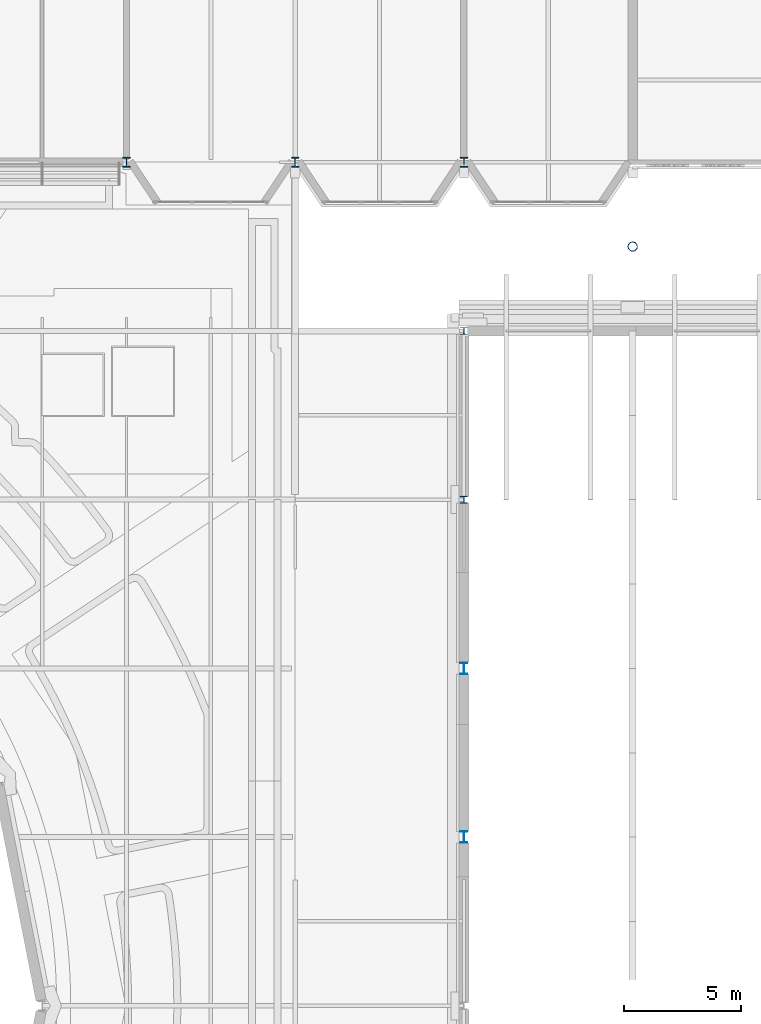
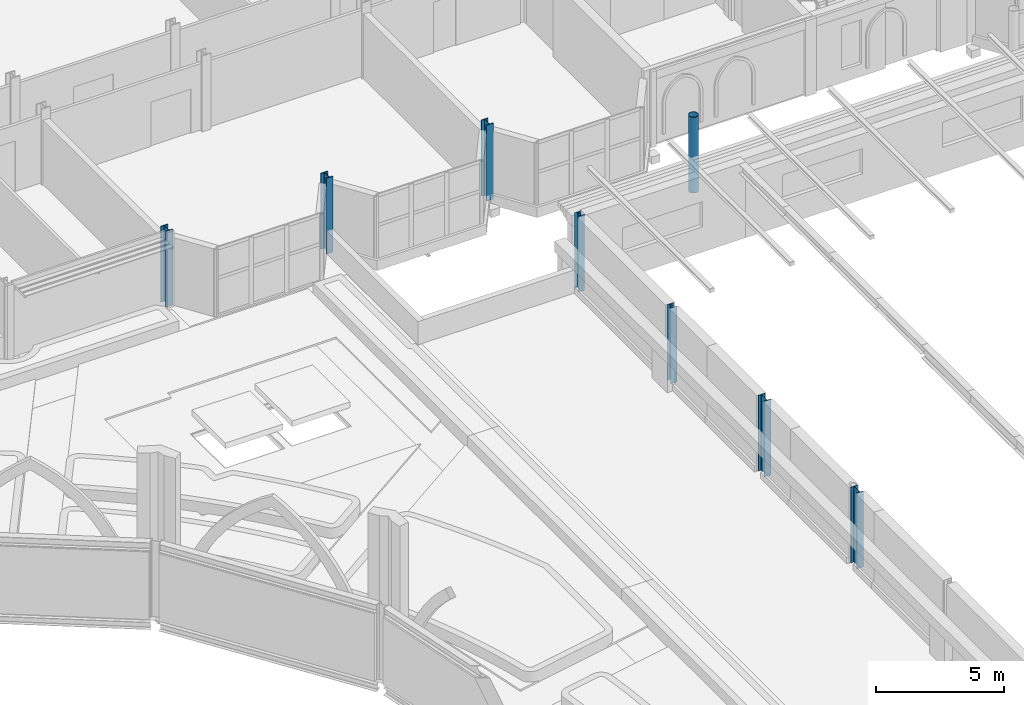
# One storey, part 8 of 110: 8 columns.
"""IFC4 building model written with IfcOpenShell, lengths in metres."""

from ifc_helpers import new_model, si_unit, direction, frame, origin, origin_2d, place, context, subcontext, project, spatial, hollow_circle, i_section, extrude, material, material_profile, profile_set, type_object, element, save


model = new_model("IFC4")

# Units and contexts
model_context = context("Model", 3, precision=1e-05, world=origin(), true_north=direction((0.0, 1.0)))
body_context = subcontext(model_context, "Body", "Model", "MODEL_VIEW")
ifc_project = project(units=[si_unit("LENGTHUNIT", "METRE"), si_unit("AREAUNIT", "SQUARE_METRE"), si_unit("VOLUMEUNIT", "CUBIC_METRE"), si_unit("PLANEANGLEUNIT", "RADIAN"), si_unit("MASSUNIT", "GRAM", prefix="KILO")], contexts=[model_context])

# Site, building, storey
site_placement = place(None, origin())
site = spatial("IfcSite", under=ifc_project, at=site_placement, CompositionType="ELEMENT")
building_placement = place(site_placement, origin())
building = spatial("IfcBuilding", under=site, at=building_placement, Name="Kupolbacken Congress Centre", CompositionType="ELEMENT")
storey_placement = place(building_placement, frame((0.0, 0.0, 18.0)))
storey = spatial("IfcBuildingStorey", under=building, at=storey_placement, Name="L05", CompositionType="ELEMENT", Elevation=18.0)

# Columns
ifc_material_1 = material(Name="Steel S355", Category="steel")
ifc_material_profile_1 = material_profile(ifc_material_1, i_section(OverallWidth=0.306884765625, OverallDepth=0.431884765625, WebThickness=0.02099609375, FlangeThickness=0.0400390625, FilletRadius=0.027099609375, at=origin_2d()), Name="HEM 400")
ifc_profile_set_1 = profile_set([ifc_material_profile_1], Name="Steel S355")
column_type_1 = type_object("IfcColumnType", Name="C02 column HEM 400", PredefinedType="COLUMN", material=ifc_profile_set_1)
for number, where, z_axis, x_axis, name in (
    (1, (72.0, 122.39990234375, 0.0), (0.0, 0.0, 1.0), (1.0, 0.0, 0.0), "S/col/C-T-11T/L05"),
    (2, (79.199951171875, 122.39990234375, 0.0), (0.0, 0.0, 1.0), (1.0, 0.0, 0.0), "S/col/C-T-12T/L05"),
    (3, (86.39990234375, 122.39990234375, 0.0), (0.0, 0.0, 1.0), (1.0, 0.0, 0.0), "S/col/C-T-13T/L05"),
):
    element("IfcColumn", number, at=place(storey_placement, frame(where, z_axis=z_axis, x_axis=x_axis)), inside=storey, type_object=column_type_1, Name=name, PredefinedType="COLUMN", context=body_context, shape_type="SweptSolid", body=[
        extrude(i_section(OverallWidth=0.306884765625, OverallDepth=0.431884765625, WebThickness=0.02099609375, FlangeThickness=0.0400390625, FilletRadius=0.027099609375, at=origin_2d()), origin(), (0.0, 0.0, 1.0), 3.60009765625),
    ])
ifc_material_2 = material(Name="Steel S355", Category="steel")
ifc_material_profile_2 = material_profile(ifc_material_2, i_section(OverallWidth=0.300048828125, OverallDepth=0.2900390625, WebThickness=0.008544921875, FlangeThickness=0.013916015625, FilletRadius=0.027099609375, at=origin_2d()), Name="HEA 300")
ifc_profile_set_2 = profile_set([ifc_material_profile_2], Name="Steel S355")
column_type_2 = type_object("IfcColumnType", Name="C09 column HEA 300", PredefinedType="COLUMN", material=ifc_profile_set_2)
for number, where, z_axis, x_axis, name in (
    (4, (86.39990234375, 108.0, 0.0), (0.0, 0.0, 1.0), (1.0, 0.0, 0.0), "S/col/C-H-PW10/L05"),
    (5, (86.39990234375, 115.199951171875, 0.0), (0.0, 0.0, 1.0), (1.0, 0.0, 0.0), "S/col/C-H-PW11/L05"),
):
    element("IfcColumn", number, at=place(storey_placement, frame(where, z_axis=z_axis, x_axis=x_axis)), inside=storey, type_object=column_type_2, Name=name, PredefinedType="COLUMN", context=body_context, shape_type="SweptSolid", body=[
        extrude(i_section(OverallWidth=0.300048828125, OverallDepth=0.2900390625, WebThickness=0.008544921875, FlangeThickness=0.013916015625, FilletRadius=0.027099609375, at=origin_2d()), origin(), (0.0, 0.0, 1.0), 3.60009765625),
    ])
ifc_material_3 = material(Name="Steel S355", Category="steel")
ifc_material_profile_3 = material_profile(ifc_material_3, i_section(OverallWidth=0.300048828125, OverallDepth=0.489990234375, WebThickness=0.011962890625, FlangeThickness=0.02294921875, FilletRadius=0.027099609375, at=origin_2d()), Name="HEA 500")
ifc_profile_set_3 = profile_set([ifc_material_profile_3], Name="Steel S355")
column_type_3 = type_object("IfcColumnType", Name="C14 column HEA 500", PredefinedType="COLUMN", material=ifc_profile_set_3)
for number, where, z_axis, x_axis, name in (
    (6, (86.39990234375, 93.60009765625, 0.0), (0.0, 0.0, 1.0), (1.0, 0.0, 0.0), "S/col/C-H-PW08/L05"),
    (7, (86.39990234375, 100.800048828125, 0.0), (0.0, 0.0, 1.0), (1.0, 0.0, 0.0), "S/col/C-H-PW09/L05"),
):
    element("IfcColumn", number, at=place(storey_placement, frame(where, z_axis=z_axis, x_axis=x_axis)), inside=storey, type_object=column_type_3, Name=name, PredefinedType="COLUMN", context=body_context, shape_type="SweptSolid", body=[
        extrude(i_section(OverallWidth=0.300048828125, OverallDepth=0.489990234375, WebThickness=0.011962890625, FlangeThickness=0.02294921875, FilletRadius=0.027099609375, at=origin_2d()), origin(), (0.0, 0.0, 1.0), 3.60009765625),
    ])
ifc_material_4 = material(Name="Steel S355", Category="steel")
ifc_material_profile_4 = material_profile(ifc_material_4, hollow_circle(Radius=0.203125, WallThickness=0.01611328125, at=origin_2d()), Name="CHS 406.4 x 16")
ifc_profile_set_4 = profile_set([ifc_material_profile_4], Name="Steel S355")
column_type_4 = type_object("IfcColumnType", Name="C15 roof mast CHS 406.4 x 16", PredefinedType="COLUMN", material=ifc_profile_set_4)
column_placement = place(storey_placement, frame((93.60009765625, 118.800048828125, 0.0), z_axis=(0.0, 0.0, 1.0), x_axis=(1.0, 0.0, 0.0)))
element("IfcColumn", 8, at=column_placement, inside=storey, type_object=column_type_4, Name="Roof mast M1N", PredefinedType="COLUMN", context=body_context, shape_type="SweptSolid", body=[
    extrude(hollow_circle(Radius=0.203125, WallThickness=0.01611328125, at=origin_2d()), origin(), (0.0, 0.0, 1.0), 3.60009765625),
])

save(model, "model.ifc")
